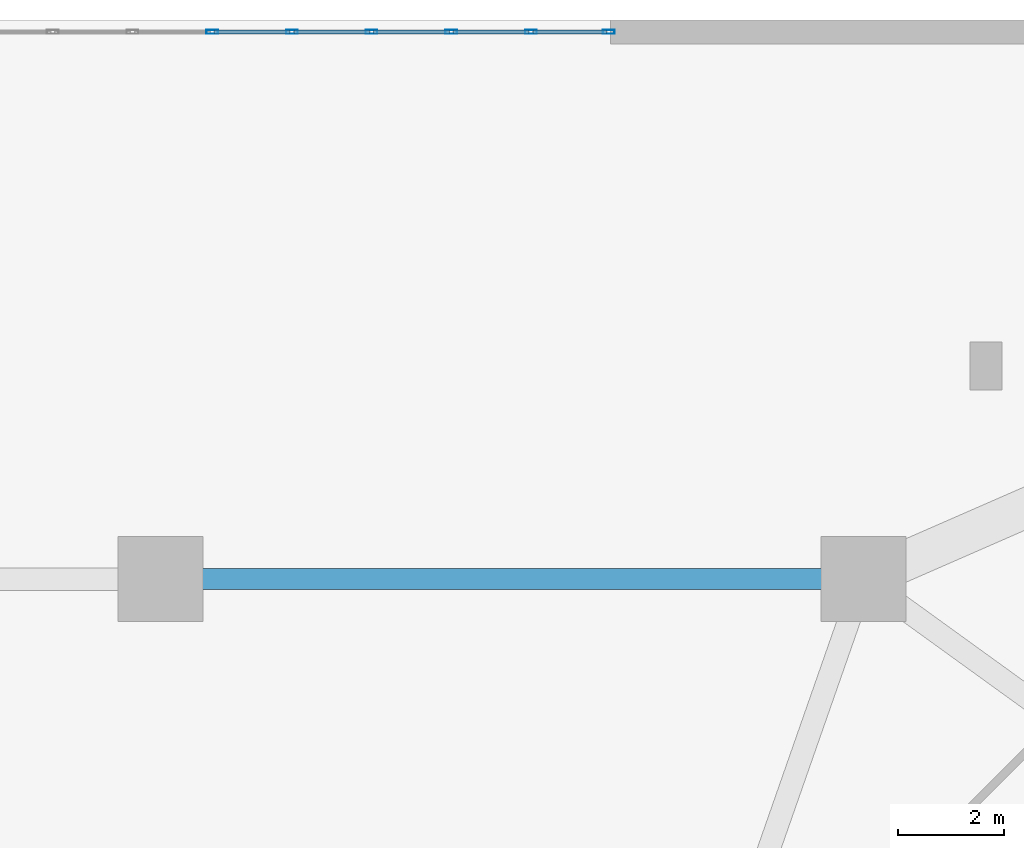
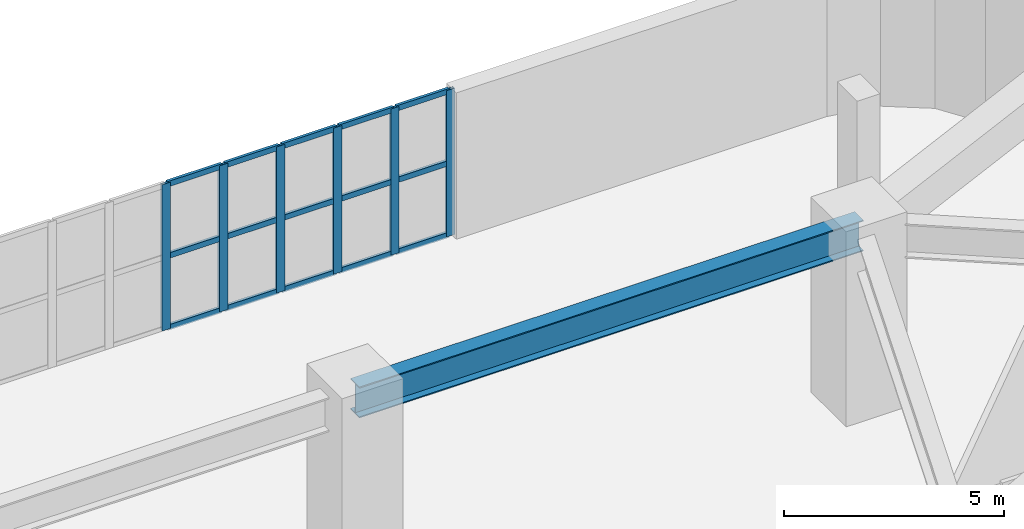
# One storey, part 23 of 34: 21 members, 1 beam, 1 element without a shape of its own.
"""IFC4 building model written with IfcOpenShell, lengths in metres."""

from ifc_helpers import new_model, si_unit, direction, frame, origin, origin_2d, place, context, subcontext, project, spatial, hollow_rectangle, i_section, extrude, material, layer, layer_set, material_profile, profile_set, type_object, element, aggregate, save


model = new_model("IFC4")

# Units and contexts
model_context = context("Model", 3, precision=1e-05, world=origin(), true_north=direction((0.0, 1.0)))
body_context = subcontext(model_context, "Body", "Model", "MODEL_VIEW")
ifc_project = project(units=[si_unit("LENGTHUNIT", "METRE"), si_unit("AREAUNIT", "SQUARE_METRE"), si_unit("VOLUMEUNIT", "CUBIC_METRE"), si_unit("PLANEANGLEUNIT", "RADIAN"), si_unit("MASSUNIT", "GRAM", prefix="KILO")], contexts=[model_context])

# Site, building, storey
site_placement = place(None, origin())
site = spatial("IfcSite", under=ifc_project, at=site_placement, CompositionType="ELEMENT")
building_placement = place(site_placement, origin())
building = spatial("IfcBuilding", under=site, at=building_placement, Name="Kilnhurst Terrace Hotel", CompositionType="ELEMENT")
storey_placement = place(building_placement, frame((0.0, 0.0, 6.0)))
storey = spatial("IfcBuildingStorey", under=building, at=storey_placement, Name="L01", CompositionType="ELEMENT", Elevation=6.0)

# Beam
ifc_material_1 = material(Name="Steel ASTM A992 Grade 50", Category="steel")
ifc_material_profile_1 = material_profile(ifc_material_1, i_section(OverallWidth=0.39990234375, OverallDepth=0.85546875, WebThickness=0.018310546875, FlangeThickness=0.029296875, at=origin_2d()), Name="W33X201")
ifc_profile_set_1 = profile_set([ifc_material_profile_1], Name="Steel ASTM A992 Grade 50")
beam_type = type_object("IfcBeamType", Name="BM-STL-W33X201", PredefinedType="BEAM", material=ifc_profile_set_1)
beam_placement = place(storey_placement, frame((0.0, 19.5, 4.652099609375), z_axis=(1.0, 0.0, 0.0), x_axis=(0.0, 1.0, 0.0)))
element("IfcBeam", 1, at=beam_placement, inside=storey, type_object=beam_type, Name="L01 Podium Frame Beam 5", PredefinedType="BEAM", context=body_context, shape_type="SweptSolid", body=[
    extrude(i_section(OverallWidth=0.39990234375, OverallDepth=0.85546875, WebThickness=0.018310546875, FlangeThickness=0.029296875, at=origin_2d()), origin(), (0.0, 0.0, 1.0), 13.199951171875),
])

# Curtain wall, members
ifc_material_2 = material(Name="Anodized Aluminium Alloy 6063-T6 and Low-E Glass", Category="aluminium")
ifc_layer = layer(ifc_material_2, 0.219970703125, Name="Anodized Aluminium Alloy 6063-T6 and Low-E Glass")
ifc_layer_set = layer_set([ifc_layer], Name="Anodized Aluminium Alloy 6063-T6 and Low-E Glass")
curtain_wall_type = type_object("IfcCurtainWallType", Name="CW-POD-LOBBY", PredefinedType="NOTDEFINED", material=ifc_layer_set)
curtain_wall_placement = place(storey_placement, origin())
curtain_wall = element("IfcCurtainWall", 2, at=curtain_wall_placement, inside=storey, type_object=curtain_wall_type, Name="L01 Curtain Wall CW-L01-F4-1", PredefinedType="NOTDEFINED")
ifc_material_3 = material(Name="Extruded Aluminium Alloy 6063-T6", Category="aluminium")
ifc_material_profile_2 = material_profile(ifc_material_3, hollow_rectangle(XDim=0.074951171875, YDim=0.219970703125, WallThickness=0.00390625, at=origin_2d()), Name="CWM75X220")
ifc_profile_set_2 = profile_set([ifc_material_profile_2], Name="Extruded Aluminium Alloy 6063-T6")
member_type_1 = type_object("IfcMemberType", Name="MEM-CWM75X220", PredefinedType="MULLION", material=ifc_profile_set_2)
member_1_placement = place(storey_placement, frame((8.415283203125, 29.77490234375, 0.0), z_axis=(0.0, 0.0, 1.0), x_axis=(0.0, -1.0, 0.0)))
member_1 = element("IfcMember", 3, at=member_1_placement, type_object=member_type_1, Name="CWL-1 mullion 1", PredefinedType="MULLION", context=body_context, shape_type="SweptSolid", body=[
    extrude(hollow_rectangle(XDim=0.074951171875, YDim=0.219970703125, WallThickness=0.00390625, at=origin_2d()), origin(), (0.0, 0.0, 1.0), 4.050048828125),
])
member_2_placement = place(storey_placement, frame((6.956298828125, 29.77490234375, 0.0), z_axis=(0.0, 0.0, 1.0), x_axis=(0.0, -1.0, 0.0)))
member_2 = element("IfcMember", 4, at=member_2_placement, type_object=member_type_1, Name="CWL-1 mullion 2", PredefinedType="MULLION", context=body_context, shape_type="SweptSolid", body=[
    extrude(hollow_rectangle(XDim=0.074951171875, YDim=0.219970703125, WallThickness=0.00390625, at=origin_2d()), origin(), (0.0, 0.0, 1.0), 4.050048828125),
])
member_3_placement = place(storey_placement, frame((5.45947265625, 29.77490234375, 0.0), z_axis=(0.0, 0.0, 1.0), x_axis=(0.0, -1.0, 0.0)))
member_3 = element("IfcMember", 5, at=member_3_placement, type_object=member_type_1, Name="CWL-1 mullion 3", PredefinedType="MULLION", context=body_context, shape_type="SweptSolid", body=[
    extrude(hollow_rectangle(XDim=0.074951171875, YDim=0.219970703125, WallThickness=0.00390625, at=origin_2d()), origin(), (0.0, 0.0, 1.0), 4.050048828125),
])
member_4_placement = place(storey_placement, frame((3.962890625, 29.77490234375, 0.0), z_axis=(0.0, 0.0, 1.0), x_axis=(0.0, -1.0, 0.0)))
member_4 = element("IfcMember", 6, at=member_4_placement, type_object=member_type_1, Name="CWL-1 mullion 4", PredefinedType="MULLION", context=body_context, shape_type="SweptSolid", body=[
    extrude(hollow_rectangle(XDim=0.074951171875, YDim=0.219970703125, WallThickness=0.00390625, at=origin_2d()), origin(), (0.0, 0.0, 1.0), 4.050048828125),
])
member_5_placement = place(storey_placement, frame((2.466064453125, 29.77490234375, 0.0), z_axis=(0.0, 0.0, 1.0), x_axis=(0.0, -1.0, 0.0)))
member_5 = element("IfcMember", 7, at=member_5_placement, type_object=member_type_1, Name="CWL-1 mullion 5", PredefinedType="MULLION", context=body_context, shape_type="SweptSolid", body=[
    extrude(hollow_rectangle(XDim=0.074951171875, YDim=0.219970703125, WallThickness=0.00390625, at=origin_2d()), origin(), (0.0, 0.0, 1.0), 4.050048828125),
])
member_6_placement = place(storey_placement, frame((0.969482421875, 29.77490234375, 0.0), z_axis=(0.0, 0.0, 1.0), x_axis=(0.0, -1.0, 0.0)))
member_6 = element("IfcMember", 8, at=member_6_placement, type_object=member_type_1, Name="CWL-1 mullion 6", PredefinedType="MULLION", context=body_context, shape_type="SweptSolid", body=[
    extrude(hollow_rectangle(XDim=0.074951171875, YDim=0.219970703125, WallThickness=0.00390625, at=origin_2d()), origin(), (0.0, 0.0, 1.0), 4.050048828125),
])
ifc_material_profile_3 = material_profile(ifc_material_3, hollow_rectangle(XDim=0.074951171875, YDim=0.14990234375, WallThickness=0.00390625, at=origin_2d()), Name="CWT75X150")
ifc_profile_set_3 = profile_set([ifc_material_profile_3], Name="Extruded Aluminium Alloy 6063-T6")
member_type_2 = type_object("IfcMemberType", Name="MEM-CWT75X150", PredefinedType="USERDEFINED", material=ifc_profile_set_3)
member_7_placement = place(storey_placement, frame((8.3779296875, 29.77490234375, 0.03759765625), z_axis=(-1.0, 0.0, 0.0), x_axis=(0.0, -1.0, 0.0)))
member_7 = element("IfcMember", 9, at=member_7_placement, type_object=member_type_2, Name="CWL-1 transom 1.1", ObjectType="TRANSOM", PredefinedType="USERDEFINED", context=body_context, shape_type="SweptSolid", body=[
    extrude(hollow_rectangle(XDim=0.074951171875, YDim=0.14990234375, WallThickness=0.00390625, at=origin_2d()), origin(), (0.0, 0.0, 1.0), 1.38427734375),
])
member_8_placement = place(storey_placement, frame((8.3779296875, 29.77490234375, 2.02490234375), z_axis=(-1.0, 0.0, 0.0), x_axis=(0.0, -1.0, 0.0)))
member_8 = element("IfcMember", 10, at=member_8_placement, type_object=member_type_2, Name="CWL-1 transom 1.2", ObjectType="TRANSOM", PredefinedType="USERDEFINED", context=body_context, shape_type="SweptSolid", body=[
    extrude(hollow_rectangle(XDim=0.074951171875, YDim=0.14990234375, WallThickness=0.00390625, at=origin_2d()), origin(), (0.0, 0.0, 1.0), 1.38427734375),
])
member_9_placement = place(storey_placement, frame((8.3779296875, 29.77490234375, 4.012451171875), z_axis=(-1.0, 0.0, 0.0), x_axis=(0.0, -1.0, 0.0)))
member_9 = element("IfcMember", 11, at=member_9_placement, type_object=member_type_2, Name="CWL-1 transom 1.3", ObjectType="TRANSOM", PredefinedType="USERDEFINED", context=body_context, shape_type="SweptSolid", body=[
    extrude(hollow_rectangle(XDim=0.074951171875, YDim=0.14990234375, WallThickness=0.00390625, at=origin_2d()), origin(), (0.0, 0.0, 1.0), 1.38427734375),
])
member_10_placement = place(storey_placement, frame((6.918701171875, 29.77490234375, 0.03759765625), z_axis=(-1.0, 0.0, 0.0), x_axis=(0.0, -1.0, 0.0)))
member_10 = element("IfcMember", 12, at=member_10_placement, type_object=member_type_2, Name="CWL-1 transom 2.1", ObjectType="TRANSOM", PredefinedType="USERDEFINED", context=body_context, shape_type="SweptSolid", body=[
    extrude(hollow_rectangle(XDim=0.074951171875, YDim=0.14990234375, WallThickness=0.00390625, at=origin_2d()), origin(), (0.0, 0.0, 1.0), 1.421630859375),
])
member_11_placement = place(storey_placement, frame((6.918701171875, 29.77490234375, 2.02490234375), z_axis=(-1.0, 0.0, 0.0), x_axis=(0.0, -1.0, 0.0)))
member_11 = element("IfcMember", 13, at=member_11_placement, type_object=member_type_2, Name="CWL-1 transom 2.2", ObjectType="TRANSOM", PredefinedType="USERDEFINED", context=body_context, shape_type="SweptSolid", body=[
    extrude(hollow_rectangle(XDim=0.074951171875, YDim=0.14990234375, WallThickness=0.00390625, at=origin_2d()), origin(), (0.0, 0.0, 1.0), 1.421630859375),
])
member_12_placement = place(storey_placement, frame((6.918701171875, 29.77490234375, 4.012451171875), z_axis=(-1.0, 0.0, 0.0), x_axis=(0.0, -1.0, 0.0)))
member_12 = element("IfcMember", 14, at=member_12_placement, type_object=member_type_2, Name="CWL-1 transom 2.3", ObjectType="TRANSOM", PredefinedType="USERDEFINED", context=body_context, shape_type="SweptSolid", body=[
    extrude(hollow_rectangle(XDim=0.074951171875, YDim=0.14990234375, WallThickness=0.00390625, at=origin_2d()), origin(), (0.0, 0.0, 1.0), 1.421630859375),
])
member_13_placement = place(storey_placement, frame((5.422119140625, 29.77490234375, 0.03759765625), z_axis=(-1.0, 0.0, 0.0), x_axis=(0.0, -1.0, 0.0)))
member_13 = element("IfcMember", 15, at=member_13_placement, type_object=member_type_2, Name="CWL-1 transom 3.1", ObjectType="TRANSOM", PredefinedType="USERDEFINED", context=body_context, shape_type="SweptSolid", body=[
    extrude(hollow_rectangle(XDim=0.074951171875, YDim=0.14990234375, WallThickness=0.00390625, at=origin_2d()), origin(), (0.0, 0.0, 1.0), 1.421875),
])
member_14_placement = place(storey_placement, frame((5.422119140625, 29.77490234375, 2.02490234375), z_axis=(-1.0, 0.0, 0.0), x_axis=(0.0, -1.0, 0.0)))
member_14 = element("IfcMember", 16, at=member_14_placement, type_object=member_type_2, Name="CWL-1 transom 3.2", ObjectType="TRANSOM", PredefinedType="USERDEFINED", context=body_context, shape_type="SweptSolid", body=[
    extrude(hollow_rectangle(XDim=0.074951171875, YDim=0.14990234375, WallThickness=0.00390625, at=origin_2d()), origin(), (0.0, 0.0, 1.0), 1.421875),
])
member_15_placement = place(storey_placement, frame((5.422119140625, 29.77490234375, 4.012451171875), z_axis=(-1.0, 0.0, 0.0), x_axis=(0.0, -1.0, 0.0)))
member_15 = element("IfcMember", 17, at=member_15_placement, type_object=member_type_2, Name="CWL-1 transom 3.3", ObjectType="TRANSOM", PredefinedType="USERDEFINED", context=body_context, shape_type="SweptSolid", body=[
    extrude(hollow_rectangle(XDim=0.074951171875, YDim=0.14990234375, WallThickness=0.00390625, at=origin_2d()), origin(), (0.0, 0.0, 1.0), 1.421875),
])
member_16_placement = place(storey_placement, frame((3.92529296875, 29.77490234375, 0.03759765625), z_axis=(-1.0, 0.0, 0.0), x_axis=(0.0, -1.0, 0.0)))
member_16 = element("IfcMember", 18, at=member_16_placement, type_object=member_type_2, Name="CWL-1 transom 4.1", ObjectType="TRANSOM", PredefinedType="USERDEFINED", context=body_context, shape_type="SweptSolid", body=[
    extrude(hollow_rectangle(XDim=0.074951171875, YDim=0.14990234375, WallThickness=0.00390625, at=origin_2d()), origin(), (0.0, 0.0, 1.0), 1.421630859375),
])
member_17_placement = place(storey_placement, frame((3.92529296875, 29.77490234375, 2.02490234375), z_axis=(-1.0, 0.0, 0.0), x_axis=(0.0, -1.0, 0.0)))
member_17 = element("IfcMember", 19, at=member_17_placement, type_object=member_type_2, Name="CWL-1 transom 4.2", ObjectType="TRANSOM", PredefinedType="USERDEFINED", context=body_context, shape_type="SweptSolid", body=[
    extrude(hollow_rectangle(XDim=0.074951171875, YDim=0.14990234375, WallThickness=0.00390625, at=origin_2d()), origin(), (0.0, 0.0, 1.0), 1.421630859375),
])
member_18_placement = place(storey_placement, frame((3.92529296875, 29.77490234375, 4.012451171875), z_axis=(-1.0, 0.0, 0.0), x_axis=(0.0, -1.0, 0.0)))
member_18 = element("IfcMember", 20, at=member_18_placement, type_object=member_type_2, Name="CWL-1 transom 4.3", ObjectType="TRANSOM", PredefinedType="USERDEFINED", context=body_context, shape_type="SweptSolid", body=[
    extrude(hollow_rectangle(XDim=0.074951171875, YDim=0.14990234375, WallThickness=0.00390625, at=origin_2d()), origin(), (0.0, 0.0, 1.0), 1.421630859375),
])
member_19_placement = place(storey_placement, frame((2.4287109375, 29.77490234375, 0.03759765625), z_axis=(-1.0, 0.0, 0.0), x_axis=(0.0, -1.0, 0.0)))
member_19 = element("IfcMember", 21, at=member_19_placement, type_object=member_type_2, Name="CWL-1 transom 5.1", ObjectType="TRANSOM", PredefinedType="USERDEFINED", context=body_context, shape_type="SweptSolid", body=[
    extrude(hollow_rectangle(XDim=0.074951171875, YDim=0.14990234375, WallThickness=0.00390625, at=origin_2d()), origin(), (0.0, 0.0, 1.0), 1.421875),
])
member_20_placement = place(storey_placement, frame((2.4287109375, 29.77490234375, 2.02490234375), z_axis=(-1.0, 0.0, 0.0), x_axis=(0.0, -1.0, 0.0)))
member_20 = element("IfcMember", 22, at=member_20_placement, type_object=member_type_2, Name="CWL-1 transom 5.2", ObjectType="TRANSOM", PredefinedType="USERDEFINED", context=body_context, shape_type="SweptSolid", body=[
    extrude(hollow_rectangle(XDim=0.074951171875, YDim=0.14990234375, WallThickness=0.00390625, at=origin_2d()), origin(), (0.0, 0.0, 1.0), 1.421875),
])
member_21_placement = place(storey_placement, frame((2.4287109375, 29.77490234375, 4.012451171875), z_axis=(-1.0, 0.0, 0.0), x_axis=(0.0, -1.0, 0.0)))
member_21 = element("IfcMember", 23, at=member_21_placement, type_object=member_type_2, Name="CWL-1 transom 5.3", ObjectType="TRANSOM", PredefinedType="USERDEFINED", context=body_context, shape_type="SweptSolid", body=[
    extrude(hollow_rectangle(XDim=0.074951171875, YDim=0.14990234375, WallThickness=0.00390625, at=origin_2d()), origin(), (0.0, 0.0, 1.0), 1.421875),
])
aggregate(curtain_wall, [member_1, member_2, member_3, member_4, member_5, member_6, member_7, member_8, member_9, member_10, member_11, member_12, member_13, member_14, member_15, member_16, member_17, member_18, member_19, member_20, member_21])

save(model, "model.ifc")
